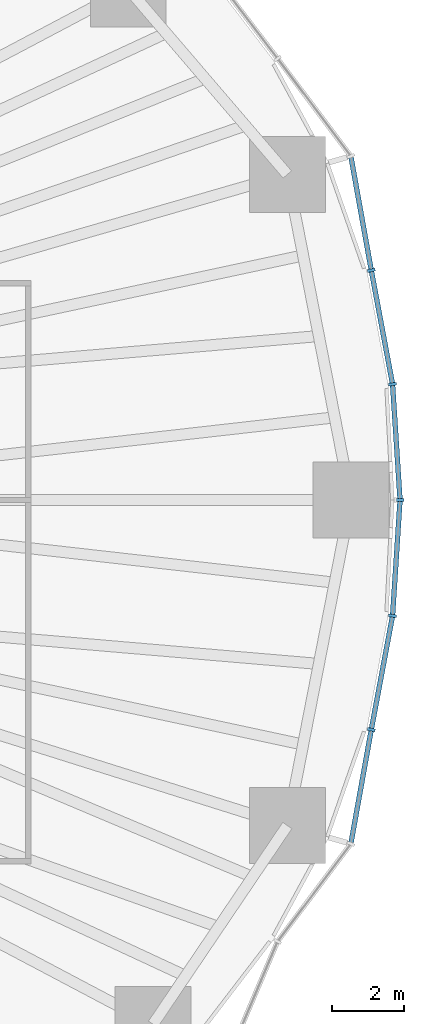
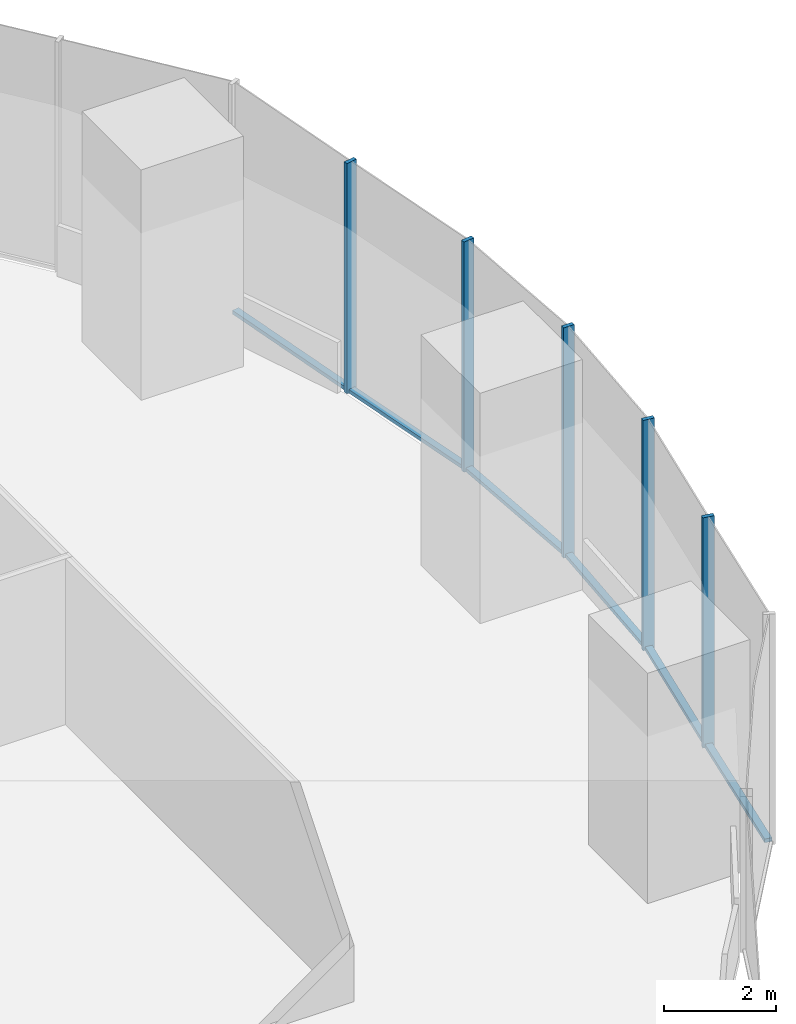
# One storey, part 7 of 20: 11 members, 2 elements without a shape of their own.
"""IFC4 building model written with IfcOpenShell, lengths in metres."""

from ifc_helpers import new_model, si_unit, direction, frame, origin, origin_2d, place, context, subcontext, project, spatial, rectangle, extrude, material, material_profile, profile_set, type_object, element, aggregate, save


model = new_model("IFC4")

# Units and contexts
model_context = context("Model", 3, precision=1e-05, world=origin(), true_north=direction((0.0, 1.0)))
body_context = subcontext(model_context, "Body", "Model", "MODEL_VIEW")
ifc_project = project(units=[si_unit("LENGTHUNIT", "METRE"), si_unit("AREAUNIT", "SQUARE_METRE"), si_unit("VOLUMEUNIT", "CUBIC_METRE"), si_unit("PLANEANGLEUNIT", "RADIAN"), si_unit("MASSUNIT", "GRAM", prefix="KILO")], contexts=[model_context])

# Site, building, storey
site_placement = place(None, origin())
site = spatial("IfcSite", under=ifc_project, at=site_placement, CompositionType="ELEMENT")
building_placement = place(site_placement, origin())
building = spatial("IfcBuilding", under=site, at=building_placement, Name="Ghaith Harvest Tower", CompositionType="ELEMENT")
storey_placement = place(building_placement, frame((0.0, 0.0, 35.0)))
storey = spatial("IfcBuildingStorey", under=building, at=storey_placement, Name="L07", CompositionType="ELEMENT", Elevation=35.0)

# Curtain wall, members
ifc_material_1 = material(Name="Black anodised aluminium and fritted glass", Category="aluminium")
curtain_wall_type = type_object("IfcCurtainWallType", Name="CW-F CURTAIN WALL", PredefinedType="NOTDEFINED", material=ifc_material_1)
curtain_wall_1_placement = place(storey_placement, origin())
curtain_wall_1 = element("IfcCurtainWall", 1, at=curtain_wall_1_placement, inside=storey, type_object=curtain_wall_type, Name="Curtain wall CW-F bay 01 L07", PredefinedType="NOTDEFINED")
ifc_material_2 = material(Name="Aluminium, black anodised", Category="aluminium")
ifc_material_profile_1 = material_profile(ifc_material_2, rectangle(XDim=0.080078125, YDim=0.219970703125, at=origin_2d()), Name="CW-F MULLION 80x220")
ifc_profile_set_1 = profile_set([ifc_material_profile_1], Name="Aluminium, black anodised")
member_type_1 = type_object("IfcMemberType", Name="CW-F MULLION 80x220", PredefinedType="MULLION", material=ifc_profile_set_1)
member_1_placement = place(storey_placement, frame((34.284912109375, 0.0, 0.0), z_axis=(0.0, 0.0, 1.0), x_axis=(1.05e-10, 1.0, 0.0)))
member_1 = element("IfcMember", 2, at=member_1_placement, type_object=member_type_1, Name="CW-F mullion 1 bay 01 L07", PredefinedType="MULLION", context=body_context, shape_type="SweptSolid", body=[
    extrude(rectangle(XDim=0.080078125, YDim=0.219970703125, at=origin_2d()), origin(), (0.0, 0.0, 1.0), 5.0),
])
member_2_placement = place(storey_placement, frame((34.077880859375, 3.205322265625, 0.0), z_axis=(0.0, 0.0, 1.0), x_axis=(-0.12416951168, 0.992261020281, 0.0)))
member_2 = element("IfcMember", 3, at=member_2_placement, type_object=member_type_1, Name="CW-F mullion 2 bay 01 L07", PredefinedType="MULLION", context=body_context, shape_type="SweptSolid", body=[
    extrude(rectangle(XDim=0.080078125, YDim=0.219970703125, at=origin_2d()), origin(), (0.0, 0.0, 1.0), 5.0),
])
member_3_placement = place(storey_placement, frame((33.489501953125, 6.3564453125, 0.0), z_axis=(0.0, 0.0, 1.0), x_axis=(-0.179943325455, 0.98367697931, 0.0)))
member_3 = element("IfcMember", 4, at=member_3_placement, type_object=member_type_1, Name="CW-F mullion 3 bay 01 L07", PredefinedType="MULLION", context=body_context, shape_type="SweptSolid", body=[
    extrude(rectangle(XDim=0.080078125, YDim=0.219970703125, at=origin_2d()), origin(), (0.0, 0.0, 1.0), 5.0),
])

curtain_wall_2_placement = place(storey_placement, origin())
curtain_wall_2 = element("IfcCurtainWall", 5, at=curtain_wall_2_placement, inside=storey, type_object=curtain_wall_type, Name="Curtain wall CW-F bay 20 L07", PredefinedType="NOTDEFINED")
member_4_placement = place(storey_placement, frame((33.489501953125, -6.3564453125, 0.0), z_axis=(0.0, 0.0, 1.0), x_axis=(0.17994332573, 0.98367697926, 0.0)))
member_4 = element("IfcMember", 6, at=member_4_placement, type_object=member_type_1, Name="CW-F mullion 2 bay 20 L07", PredefinedType="MULLION", context=body_context, shape_type="SweptSolid", body=[
    extrude(rectangle(XDim=0.080078125, YDim=0.219970703125, at=origin_2d()), origin(), (0.0, 0.0, 1.0), 5.0),
])
member_5_placement = place(storey_placement, frame((34.077880859375, -3.205322265625, 0.0), z_axis=(0.0, 0.0, 1.0), x_axis=(0.124169511819, 0.992261020264, 0.0)))
member_5 = element("IfcMember", 7, at=member_5_placement, type_object=member_type_1, Name="CW-F mullion 3 bay 20 L07", PredefinedType="MULLION", context=body_context, shape_type="SweptSolid", body=[
    extrude(rectangle(XDim=0.080078125, YDim=0.219970703125, at=origin_2d()), origin(), (0.0, 0.0, 1.0), 5.0),
])

# Member
ifc_material_3 = material(Name="Aluminium, black anodised", Category="aluminium")
ifc_material_profile_2 = material_profile(ifc_material_3, rectangle(XDim=0.139892578125, YDim=0.080078125, at=origin_2d()), Name="CW-F TRANSOM 140x80")
ifc_profile_set_2 = profile_set([ifc_material_profile_2], Name="Aluminium, black anodised")
member_type_2 = type_object("IfcMemberType", Name="CW-F TRANSOM 140x80", PredefinedType="USERDEFINED", material=ifc_profile_set_2)
member_6_placement = place(storey_placement, frame((34.282470703125, 0.039794921875, 0.0400390625), z_axis=(-0.064459898973, 0.997920298132, 0.0), x_axis=(-0.997920298132, -0.064459898973, 0.0)))
member_6 = element("IfcMember", 8, at=member_6_placement, type_object=member_type_2, Name="CW-F transom 1 bay 01 L07", ObjectType="TRANSOM", PredefinedType="USERDEFINED", context=body_context, shape_type="SweptSolid", body=[
    extrude(rectangle(XDim=0.139892578125, YDim=0.080078125, at=origin_2d()), origin(), (0.0, 0.0, 1.0), 3.13232421875),
])

member_7_placement = place(storey_placement, frame((34.070556640625, 3.24462890625, 0.0400390625), z_axis=(-0.183557496381, 0.983008975301, 0.0), x_axis=(-0.983008975301, -0.183557496381, 0.0)))
member_7 = element("IfcMember", 9, at=member_7_placement, type_object=member_type_2, Name="CW-F transom 2 bay 01 L07", ObjectType="TRANSOM", PredefinedType="USERDEFINED", context=body_context, shape_type="SweptSolid", body=[
    extrude(rectangle(XDim=0.139892578125, YDim=0.080078125, at=origin_2d()), origin(), (0.0, 0.0, 1.0), 3.125732421875),
])

member_8_placement = place(storey_placement, frame((33.482421875, 6.395751953125, 0.0400390625), z_axis=(-0.176303612865, 0.984335835013, 0.0), x_axis=(-0.984335835013, -0.176303612865, 0.0)))
member_8 = element("IfcMember", 10, at=member_8_placement, type_object=member_type_2, Name="CW-F transom 3 bay 01 L07", ObjectType="TRANSOM", PredefinedType="USERDEFINED", context=body_context, shape_type="SweptSolid", body=[
    extrude(rectangle(XDim=0.139892578125, YDim=0.080078125, at=origin_2d()), origin(), (0.0, 0.0, 1.0), 3.129638671875),
])

aggregate(curtain_wall_1, [member_1, member_6, member_2, member_7, member_3, member_8])

member_9_placement = place(storey_placement, frame((32.9306640625, -9.476318359375, 0.0400390625), z_axis=(0.176303612865, 0.984335835013, 0.0), x_axis=(-0.984335835013, 0.176303612865, 0.0)))
member_9 = element("IfcMember", 11, at=member_9_placement, type_object=member_type_2, Name="CW-F transom 1 bay 20 L07", ObjectType="TRANSOM", PredefinedType="USERDEFINED", context=body_context, shape_type="SweptSolid", body=[
    extrude(rectangle(XDim=0.139892578125, YDim=0.080078125, at=origin_2d()), origin(), (0.0, 0.0, 1.0), 3.129638671875),
])

member_10_placement = place(storey_placement, frame((33.496826171875, -6.317138671875, 0.0400390625), z_axis=(0.183557496381, 0.983008975301, 0.0), x_axis=(-0.983008975301, 0.183557496381, 0.0)))
member_10 = element("IfcMember", 12, at=member_10_placement, type_object=member_type_2, Name="CW-F transom 2 bay 20 L07", ObjectType="TRANSOM", PredefinedType="USERDEFINED", context=body_context, shape_type="SweptSolid", body=[
    extrude(rectangle(XDim=0.139892578125, YDim=0.080078125, at=origin_2d()), origin(), (0.0, 0.0, 1.0), 3.125732421875),
])

member_11_placement = place(storey_placement, frame((34.08056640625, -3.16552734375, 0.0400390625), z_axis=(0.064459898973, 0.997920298132, 0.0), x_axis=(-0.997920298132, 0.064459898973, 0.0)))
member_11 = element("IfcMember", 13, at=member_11_placement, type_object=member_type_2, Name="CW-F transom 3 bay 20 L07", ObjectType="TRANSOM", PredefinedType="USERDEFINED", context=body_context, shape_type="SweptSolid", body=[
    extrude(rectangle(XDim=0.139892578125, YDim=0.080078125, at=origin_2d()), origin(), (0.0, 0.0, 1.0), 3.13232421875),
])

aggregate(curtain_wall_2, [member_9, member_4, member_10, member_5, member_11])

save(model, "model.ifc")
